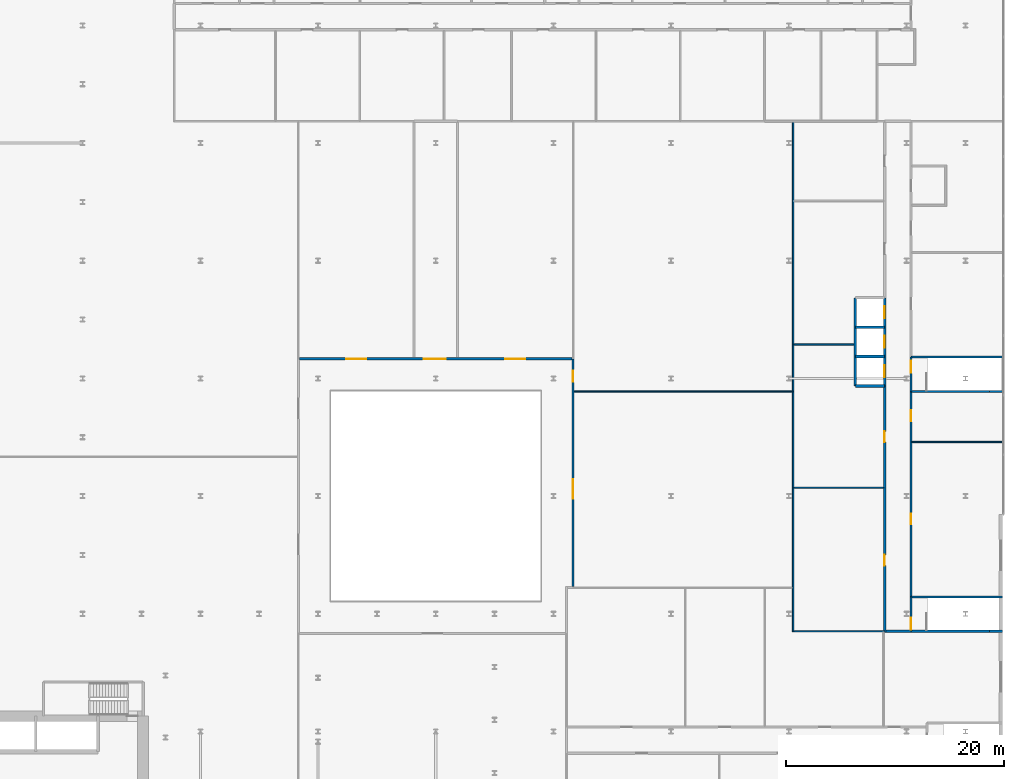
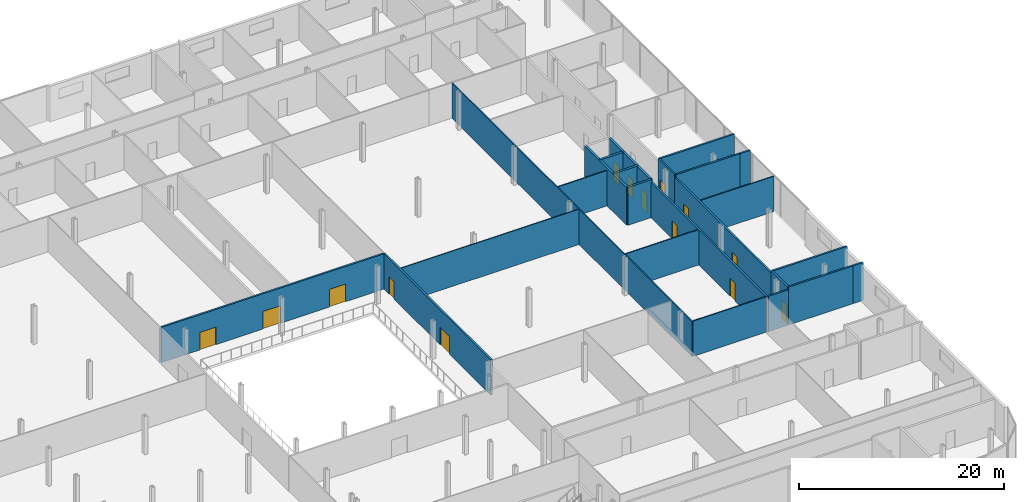
# One storey, part 33 of 43: 24 walls, 14 doors, 14 openings.
"""IFC4 building model written with IfcOpenShell, lengths in metres."""

import ifcopenshell
import ifcopenshell.guid

model = None  # the IFC model being written
_history = None  # IfcOwnerHistory: only IFC2X3 demands one
_inside = {}  # id of a spatial element -> (the spatial element, [elements in it])
_under = {}  # id of a project, library or spatial element -> (it, [spatial elements below it])
_declared = {}  # id of a project -> (the project, [libraries it declares])
_typed = {}  # id of a type object -> (the type object, [elements of that type])
_made_of = {}  # id of a material, layer set ... -> (it, [elements and type objects made of it])


def new_model(schema):
    """Start an empty IFC model of exactly this schema.

    Asked for "IFC4X3", IfcOpenShell would pick the latest addendum, in which some entities
    have other attributes; the version numbers below select the first issue.
    IFC2X3 requires an IfcOwnerHistory on every rooted entity: one is made here for all.
    """
    global model, _history
    if schema == "IFC4X3":
        model = ifcopenshell.file(schema_version=(4, 3, 0, 0))
    else:
        model = ifcopenshell.file(schema=schema)
    _inside.clear()
    _under.clear()
    _declared.clear()
    _typed.clear()
    _made_of.clear()
    _history = None
    if model.schema == "IFC2X3":
        org = make("IfcOrganization", Name="unknown")
        user = make(
            "IfcPersonAndOrganization",
            ThePerson=make("IfcPerson", FamilyName="unknown"),
            TheOrganization=org,
        )
        app = make(
            "IfcApplication",
            ApplicationDeveloper=org,
            Version="unknown",
            ApplicationFullName="unknown",
            ApplicationIdentifier="unknown",
        )
        _history = make(
            "IfcOwnerHistory",
            OwningUser=user,
            OwningApplication=app,
            ChangeAction="ADDED",
            CreationDate=0,
        )
    return model


def make(cls, **values):
    """One entity of the class cls with the attributes given. An attribute that is None is left unset."""
    return model.create_entity(
        cls, **{name: value for name, value in values.items() if value is not None}
    )


def rooted(cls, **values):
    """An entity with a GlobalId (a new one), such as an element, a storey or a relation."""
    return make(cls, GlobalId=ifcopenshell.guid.new(), OwnerHistory=_history, **values)


def si_unit(unit_type, name, prefix=None):
    """IfcSIUnit, for example si_unit("LENGTHUNIT", "METRE", prefix="MILLI")."""
    return make("IfcSIUnit", UnitType=unit_type, Prefix=prefix, Name=name)


def assignment(units):
    """IfcUnitAssignment: the units of a project."""
    return None if units is None else make("IfcUnitAssignment", Units=units)


def point(xyz):
    """IfcCartesianPoint."""
    return None if xyz is None else make("IfcCartesianPoint", Coordinates=xyz)


def direction(xyz):
    """IfcDirection."""
    return None if xyz is None else make("IfcDirection", DirectionRatios=xyz)


def frame(location, z_axis=None, x_axis=None):
    """IfcAxis2Placement3D, a coordinate frame: its origin and axes. An axis left out is left unset."""
    return make(
        "IfcAxis2Placement3D",
        Location=point(location),
        Axis=direction(z_axis),
        RefDirection=direction(x_axis),
    )


def frame_2d(location, x_axis=None):
    """IfcAxis2Placement2D, a coordinate frame in the plane: its origin and x axis."""
    return make(
        "IfcAxis2Placement2D", Location=point(location), RefDirection=direction(x_axis)
    )


def origin():
    """The frame at (0, 0, 0) with its axes left unset."""
    return frame((0.0, 0.0, 0.0))


def place(relative_to, where):
    """IfcLocalPlacement: puts the frame where relative to a parent placement (None: the world)."""
    return make(
        "IfcLocalPlacement", PlacementRelTo=relative_to, RelativePlacement=where
    )


def context(
    kind, dimensions, precision=None, world=None, true_north=None, identifier=None
):
    """IfcGeometricRepresentationContext, for example the 3D "Model" context."""
    return make(
        "IfcGeometricRepresentationContext",
        ContextIdentifier=identifier,
        ContextType=kind,
        CoordinateSpaceDimension=dimensions,
        Precision=precision,
        WorldCoordinateSystem=world,
        TrueNorth=true_north,
    )


def subcontext(parent, identifier, kind, view, scale=None):
    """IfcGeometricRepresentationSubContext, for example "Body" below "Model"."""
    return make(
        "IfcGeometricRepresentationSubContext",
        ContextIdentifier=identifier,
        ContextType=kind,
        ParentContext=parent,
        TargetScale=scale,
        TargetView=view,
    )


def project(units=None, contexts=None):
    """IfcProject with its units and contexts."""
    return rooted(
        "IfcProject",
        Name="project",
        RepresentationContexts=contexts,
        UnitsInContext=assignment(units),
    )


def spatial(cls, under=None, at=None, **own):
    """A site, building, storey or space (cls), placed at a placement, below another one or the project."""
    s = rooted(cls, ObjectPlacement=at, **own)
    if under is not None:
        _under.setdefault(under.id(), (under, []))[1].append(s)
    return s


def profile(cls, at=None, kind="AREA", **sizes):
    """A parametric profile (cls). Its sizes go by their IFC names, for example OverallWidth=200.0."""
    return make(cls, ProfileType=kind, Position=at, **sizes)


def rectangle(**sizes):
    """IfcRectangleProfileDef."""
    return profile("IfcRectangleProfileDef", **sizes)


def extrude(swept, where, along, depth):
    """IfcExtrudedAreaSolid: the profile swept, set in the frame where, extruded along a direction by depth."""
    return make(
        "IfcExtrudedAreaSolid",
        SweptArea=swept,
        Position=where,
        ExtrudedDirection=direction(along),
        Depth=depth,
    )


def shape(context_of_items, identifier, shape_type, items):
    """IfcShapeRepresentation: the items that make up one representation, for example the "Body"."""
    return make(
        "IfcShapeRepresentation",
        ContextOfItems=context_of_items,
        RepresentationIdentifier=identifier,
        RepresentationType=shape_type,
        Items=items,
    )


def source(mapping_origin, context_of_items, identifier, shape_type, items):
    """IfcRepresentationMap: a shape defined once, which mapped items show again and again."""
    return make(
        "IfcRepresentationMap",
        MappingOrigin=mapping_origin,
        MappedRepresentation=shape(context_of_items, identifier, shape_type, items),
    )


def transform(
    local_origin,
    x_axis=None,
    y_axis=None,
    z_axis=None,
    scale=None,
    scale2=None,
    scale3=None,
    uniform=True,
):
    """IfcCartesianTransformationOperator3D, or its non-uniform kind. x_axis, y_axis, z_axis: its Axis1, 2, 3."""
    if uniform:
        return make(
            "IfcCartesianTransformationOperator3D",
            Axis1=direction(x_axis),
            Axis2=direction(y_axis),
            LocalOrigin=point(local_origin),
            Scale=scale,
            Axis3=direction(z_axis),
        )
    return make(
        "IfcCartesianTransformationOperator3DnonUniform",
        Axis1=direction(x_axis),
        Axis2=direction(y_axis),
        LocalOrigin=point(local_origin),
        Scale=scale,
        Axis3=direction(z_axis),
        Scale2=scale2,
        Scale3=scale3,
    )


def mapped(mapping_source, mapping_target):
    """IfcMappedItem: shows the shape of a source again, moved by a transform."""
    return make(
        "IfcMappedItem", MappingSource=mapping_source, MappingTarget=mapping_target
    )


def material(Name=None, Category=None):
    """IfcMaterial."""
    return make("IfcMaterial", Name=Name, Category=Category)


def layer(
    of_material, thickness, ventilated=None, Name=None, Category=None, Priority=None
):
    """IfcMaterialLayer: one layer of a wall or slab, of a material (None: an air gap)."""
    return make(
        "IfcMaterialLayer",
        Material=of_material,
        LayerThickness=thickness,
        IsVentilated=ventilated,
        Name=Name,
        Category=Category,
        Priority=Priority,
    )


def layer_set(layers, Name=None):
    """IfcMaterialLayerSet."""
    return make("IfcMaterialLayerSet", MaterialLayers=layers, LayerSetName=Name)


def made_of(thing, what):
    """Note that an element or type object is made of a material, layer set ...; save() writes the relation."""
    if what is not None:
        _made_of.setdefault(what.id(), (what, []))[1].append(thing)
    return thing


def type_object(cls, material=None, **own):
    """A type object (cls), such as IfcWallType, which elements share."""
    return made_of(rooted(cls, **own), material)


def element(
    cls,
    number,
    at=None,
    inside=None,
    cuts=None,
    type_object=None,
    material=None,
    context=None,
    identifier="Body",
    shape_type=None,
    held_by="IfcProductDefinitionShape",
    body=None,
    shapes=None,
    **own,
):
    """One element of the class cls, such as IfcWall. Its Tag is "e" and its number.

    at: its placement. inside: the storey or other place that contains it. cuts: it is an
    opening in that element (IfcRelVoidsElement). A single representation is given by context,
    identifier, shape_type and body (its items); several are given by shapes. held_by: the class
    of the entity that holds the representations. save() writes the other relations.
    """
    e = rooted(cls, Tag="e%d" % number, ObjectPlacement=at, **own)
    if body is not None:
        shapes = [shape(context, identifier, shape_type, body)]
    if shapes is not None:
        e.Representation = make(held_by, Representations=shapes)
    if inside is not None:
        _inside.setdefault(inside.id(), (inside, []))[1].append(e)
    if cuts is not None:
        rooted(
            "IfcRelVoidsElement", RelatingBuildingElement=cuts, RelatedOpeningElement=e
        )
    if type_object is not None:
        _typed.setdefault(type_object.id(), (type_object, []))[1].append(e)
    return made_of(e, material)


def fill(opening, filler):
    """IfcRelFillsElement: the door or window that sits in an opening."""
    return rooted(
        "IfcRelFillsElement",
        RelatingOpeningElement=opening,
        RelatedBuildingElement=filler,
    )


def aggregate(whole, parts):
    """IfcRelAggregates: a whole, such as a stair, and the parts it consists of."""
    return rooted("IfcRelAggregates", RelatingObject=whole, RelatedObjects=parts)


def save(model, path):
    """Write the relations noted so far, then the file.

    IfcRelAggregates (storeys below a building ...), IfcRelContainedInSpatialStructure (elements
    in a storey), IfcRelDefinesByType, IfcRelAssociatesMaterial and IfcRelDeclares: one each for
    every whole, place, type object, material and project.
    """
    for whole, parts in _under.values():
        aggregate(whole, parts)
    for where, things in _inside.values():
        rooted(
            "IfcRelContainedInSpatialStructure",
            RelatedElements=things,
            RelatingStructure=where,
        )
    for kind, things in _typed.values():
        rooted("IfcRelDefinesByType", RelatedObjects=things, RelatingType=kind)
    for what, things in _made_of.values():
        rooted("IfcRelAssociatesMaterial", RelatedObjects=things, RelatingMaterial=what)
    for by, libraries in _declared.values():
        rooted("IfcRelDeclares", RelatingContext=by, RelatedDefinitions=libraries)
    model.write(path)


model = new_model("IFC4")

# Units and contexts
model_context = context("Model", 3, precision=1e-05, world=origin(), true_north=direction((0.0, 1.0)))
body_context = subcontext(model_context, "Body", "Model", "MODEL_VIEW")
ifc_project = project(units=[si_unit("LENGTHUNIT", "METRE"), si_unit("AREAUNIT", "SQUARE_METRE"), si_unit("VOLUMEUNIT", "CUBIC_METRE"), si_unit("PLANEANGLEUNIT", "RADIAN"), si_unit("MASSUNIT", "GRAM", prefix="KILO")], contexts=[model_context])

# Site, building, storey
site_placement = place(None, origin())
site = spatial("IfcSite", under=ifc_project, at=site_placement, CompositionType="ELEMENT")
building_placement = place(site_placement, origin())
building = spatial("IfcBuilding", under=site, at=building_placement, Name="Kheshtan School and Residences Tower", CompositionType="ELEMENT")
storey_placement = place(building_placement, frame((0.0, 0.0, 26.0)))
storey = spatial("IfcBuildingStorey", under=building, at=storey_placement, Name="L05", CompositionType="ELEMENT", Elevation=26.0)

# Walls
ifc_material_1 = material(Name="Gypsum board on steel studs with mineral wool", Category="steel")
ifc_layer_1 = layer(ifc_material_1, 0.125)
ifc_layer_set_1 = layer_set([ifc_layer_1], Name="Acoustic partition 125")
wall_type_1 = type_object("IfcWallType", Name="Acoustic partition 125", PredefinedType="PARTITIONING", material=ifc_layer_set_1)
wall_1_placement = place(storey_placement, frame((112.800048828125, 43.93798828125, 0.0), z_axis=(0.0, 0.0, 1.0), x_axis=(0.0, 1.0, 0.0)))
element("IfcWall", 1, at=wall_1_placement, inside=storey, type_object=wall_type_1, Name="Partition L05-068", PredefinedType="PARTITIONING", context=body_context, shape_type="SweptSolid", body=[
    extrude(rectangle(XDim=46.787109375, YDim=0.125, at=frame_2d((23.3935546875, 0.0))), origin(), (0.0, 0.0, 1.0), 4.199951171875),
])
wall_2_placement = place(storey_placement, frame((112.862060546875, 44.0, 0.0), z_axis=(0.0, 0.0, 1.0), x_axis=(1.0, 0.0, 0.0)))
element("IfcWall", 2, at=wall_2_placement, inside=storey, type_object=wall_type_1, Name="Partition L05-069", PredefinedType="PARTITIONING", context=body_context, shape_type="SweptSolid", body=[
    extrude(rectangle(XDim=8.279052734375, YDim=0.125, at=frame_2d((4.1396484375, 0.0))), origin(), (0.0, 0.0, 1.0), 4.199951171875),
])
wall_3_placement = place(storey_placement, frame((112.862060546875, 57.162109375, 0.0), z_axis=(0.0, 0.0, 1.0), x_axis=(1.0, 0.0, 0.0)))
element("IfcWall", 3, at=wall_3_placement, inside=storey, type_object=wall_type_1, Name="Partition L05-070", PredefinedType="PARTITIONING", context=body_context, shape_type="SweptSolid", body=[
    extrude(rectangle(XDim=8.238037109375, YDim=0.125, at=frame_2d((4.119140625, 0.0))), origin(), (0.0, 0.0, 1.0), 4.199951171875),
])
wall_4_placement = place(storey_placement, frame((112.862060546875, 70.324951171875, 0.0), z_axis=(0.0, 0.0, 1.0), x_axis=(1.0, 0.0, 0.0)))
element("IfcWall", 4, at=wall_4_placement, inside=storey, type_object=wall_type_1, Name="Partition L05-071", PredefinedType="PARTITIONING", context=body_context, shape_type="SweptSolid", body=[
    extrude(rectangle(XDim=5.513916015625, YDim=0.125, at=frame_2d((2.7568359375, 0.0))), origin(), (0.0, 0.0, 1.0), 4.199951171875),
])
wall_5_placement = place(storey_placement, frame((123.699951171875, 61.368896484375, 0.0), z_axis=(0.0, 0.0, 1.0), x_axis=(1.0, 0.0, 0.0)))
element("IfcWall", 5, at=wall_5_placement, inside=storey, type_object=wall_type_1, Name="Partition L05-091", PredefinedType="PARTITIONING", context=body_context, shape_type="SweptSolid", body=[
    extrude(rectangle(XDim=8.300048828125, YDim=0.125, at=frame_2d((4.14990234375, 0.0))), origin(), (0.0, 0.0, 1.0), 4.199951171875),
])

# Wall, openings, doors
ifc_material_2 = material(Name="Gypsum board on steel studs with fire boards", Category="steel")
ifc_layer_2 = layer(ifc_material_2, 0.199951171875)
ifc_layer_set_2 = layer_set([ifc_layer_2], Name="Corridor wall 200")
wall_type_2 = type_object("IfcWallType", Name="Corridor wall 200", PredefinedType="PARTITIONING", material=ifc_layer_set_2)
wall_6_placement = place(storey_placement, frame((67.5, 69.0, 0.0), z_axis=(0.0, 0.0, 1.0), x_axis=(1.0, 0.0, 0.0)))
wall_6 = element("IfcWall", 6, at=wall_6_placement, inside=storey, type_object=wall_type_2, Name="Partition L05-033", PredefinedType="PARTITIONING", context=body_context, shape_type="SweptSolid", body=[
    extrude(rectangle(XDim=25.0, YDim=0.199951171875, at=frame_2d((12.5, 0.0))), origin(), (0.0, 0.0, 1.0), 4.199951171875),
])
opening_1_placement = place(wall_6_placement, frame((11.39990234375, 0.0, 0.0)))
opening_1 = element("IfcOpeningElement", 7, at=opening_1_placement, cuts=wall_6, Name="Opening D05-012", PredefinedType="OPENING", context=body_context, shape_type="SweptSolid", body=[
    extrude(rectangle(XDim=2.0, YDim=2.10009765625, at=frame_2d((1.0, 1.050048828125))), frame((0.0, 0.10986328125, 0.0), z_axis=(0.0, -1.0, 0.0), x_axis=(1.0, 0.0, 0.0)), (0.0, 0.0, 1.0), 0.219970703125),
])
opening_2_placement = place(wall_6_placement, frame((4.300048828125, 0.0, 0.0)))
opening_2 = element("IfcOpeningElement", 8, at=opening_2_placement, cuts=wall_6, Name="Opening D05-032", PredefinedType="OPENING", context=body_context, shape_type="SweptSolid", body=[
    extrude(rectangle(XDim=1.800048828125, YDim=2.10009765625, at=frame_2d((0.89990234375, 1.050048828125))), frame((0.0, 0.10986328125, 0.0), z_axis=(0.0, -1.0, 0.0), x_axis=(1.0, 0.0, 0.0)), (0.0, 0.0, 1.0), 0.219970703125),
])
opening_3_placement = place(wall_6_placement, frame((18.89990234375, 0.0, 0.0)))
opening_3 = element("IfcOpeningElement", 9, at=opening_3_placement, cuts=wall_6, Name="Opening D05-033", PredefinedType="OPENING", context=body_context, shape_type="SweptSolid", body=[
    extrude(rectangle(XDim=1.800048828125, YDim=2.10009765625, at=frame_2d((0.89990234375, 1.050048828125))), frame((0.0, 0.10986328125, 0.0), z_axis=(0.0, -1.0, 0.0), x_axis=(1.0, 0.0, 0.0)), (0.0, 0.0, 1.0), 0.219970703125),
])
ifc_material_3 = material(Name="Steel-framed fire-resisting door leaf", Category="steel")
door_type_1 = type_object("IfcDoorType", Name="Fire double door FD60 1800 x 2100", OperationType="DOUBLE_DOOR_SINGLE_SWING", PredefinedType="DOOR", material=ifc_material_3)
shared_shape_1 = source(origin(), body_context, "Body", "SweptSolid", [
    extrude(rectangle(XDim=1.800048828125, YDim=2.10009765625, at=frame_2d((0.89990234375, 1.050048828125))), frame((0.0, 0.02490234375, 0.0), z_axis=(0.0, -1.0, 0.0), x_axis=(1.0, 0.0, 0.0)), (0.0, 0.0, 1.0), 0.050048828125),
])
door_1_placement = place(opening_2_placement, origin())
door_1 = element("IfcDoor", 10, at=door_1_placement, inside=storey, type_object=door_type_1, Name="Door D05-032", OperationType="DOUBLE_DOOR_SINGLE_SWING", OverallHeight=2.10009765625, OverallWidth=1.800048828125, PredefinedType="DOOR", context=body_context, shape_type="MappedRepresentation", body=[
    mapped(shared_shape_1, transform((0.0, 0.0, 0.0), x_axis=(1.0, 0.0, 0.0), y_axis=(0.0, 1.0, 0.0), z_axis=(0.0, 0.0, 1.0), scale=1.0)),
])
fill(opening_2, door_1)
door_2_placement = place(opening_3_placement, origin())
door_2 = element("IfcDoor", 11, at=door_2_placement, inside=storey, type_object=door_type_1, Name="Door D05-033", OperationType="DOUBLE_DOOR_SINGLE_SWING", OverallHeight=2.10009765625, OverallWidth=1.800048828125, PredefinedType="DOOR", context=body_context, shape_type="MappedRepresentation", body=[
    mapped(shared_shape_1, transform((0.0, 0.0, 0.0), x_axis=(1.0, 0.0, 0.0), y_axis=(0.0, 1.0, 0.0), z_axis=(0.0, 0.0, 1.0), scale=1.0)),
])
fill(opening_3, door_2)
door_type_2 = type_object("IfcDoorType", Name="Fire double door FD60 2000 x 2100", OperationType="DOUBLE_DOOR_SINGLE_SWING", PredefinedType="DOOR", material=ifc_material_3)
shared_shape_2 = source(origin(), body_context, "Body", "SweptSolid", [
    extrude(rectangle(XDim=2.0, YDim=2.10009765625, at=frame_2d((1.0, 1.050048828125))), frame((0.0, 0.02490234375, 0.0), z_axis=(0.0, -1.0, 0.0), x_axis=(1.0, 0.0, 0.0)), (0.0, 0.0, 1.0), 0.050048828125),
])
door_3_placement = place(opening_1_placement, origin())
door_3 = element("IfcDoor", 12, at=door_3_placement, inside=storey, type_object=door_type_2, Name="Door D05-012", OperationType="DOUBLE_DOOR_SINGLE_SWING", OverallHeight=2.10009765625, OverallWidth=2.0, PredefinedType="DOOR", context=body_context, shape_type="MappedRepresentation", body=[
    mapped(shared_shape_2, transform((0.0, 0.0, 0.0), x_axis=(1.0, 0.0, 0.0), y_axis=(0.0, 1.0, 0.0), z_axis=(0.0, 0.0, 1.0), scale=1.0)),
])
fill(opening_1, door_3)

wall_7_placement = place(storey_placement, frame((92.60009765625, 48.10009765625, 0.0), z_axis=(0.0, 0.0, 1.0), x_axis=(0.0, 1.0, 0.0)))
wall_7 = element("IfcWall", 13, at=wall_7_placement, inside=storey, type_object=wall_type_2, Name="Partition L05-054", PredefinedType="PARTITIONING", context=body_context, shape_type="SweptSolid", body=[
    extrude(rectangle(XDim=20.89990234375, YDim=0.199951171875, at=frame_2d((10.449951171875, 0.0))), origin(), (0.0, 0.0, 1.0), 4.199951171875),
])
opening_4_placement = place(wall_7_placement, frame((8.050048828125, 0.0, 0.0)))
opening_4 = element("IfcOpeningElement", 14, at=opening_4_placement, cuts=wall_7, Name="Opening D05-010", PredefinedType="OPENING", context=body_context, shape_type="SweptSolid", body=[
    extrude(rectangle(XDim=1.800048828125, YDim=2.10009765625, at=frame_2d((0.89990234375, 1.050048828125))), frame((0.0, 0.10986328125, 0.0), z_axis=(0.0, -1.0, 0.0), x_axis=(1.0, 0.0, 0.0)), (0.0, 0.0, 1.0), 0.219970703125),
])
opening_5_placement = place(wall_7_placement, frame((18.800048828125, 0.0, 0.0)))
opening_5 = element("IfcOpeningElement", 15, at=opening_5_placement, cuts=wall_7, Name="Opening D05-011", PredefinedType="OPENING", context=body_context, shape_type="SweptSolid", body=[
    extrude(rectangle(XDim=1.0, YDim=2.10009765625, at=frame_2d((0.5, 1.050048828125))), frame((0.0, 0.10986328125, 0.0), z_axis=(0.0, -1.0, 0.0), x_axis=(1.0, 0.0, 0.0)), (0.0, 0.0, 1.0), 0.219970703125),
])
door_4_placement = place(opening_4_placement, origin())
door_4 = element("IfcDoor", 16, at=door_4_placement, inside=storey, type_object=door_type_1, Name="Door D05-010", OperationType="DOUBLE_DOOR_SINGLE_SWING", OverallHeight=2.10009765625, OverallWidth=1.800048828125, PredefinedType="DOOR", context=body_context, shape_type="MappedRepresentation", body=[
    mapped(shared_shape_1, transform((0.0, 0.0, 0.0), x_axis=(1.0, 0.0, 0.0), y_axis=(0.0, 1.0, 0.0), z_axis=(0.0, 0.0, 1.0), scale=1.0)),
])
fill(opening_4, door_4)
door_type_3 = type_object("IfcDoorType", Name="Fire door FD60 1000 x 2100", OperationType="SINGLE_SWING_LEFT", PredefinedType="DOOR", material=ifc_material_3)
shared_shape_3 = source(origin(), body_context, "Body", "SweptSolid", [
    extrude(rectangle(XDim=1.0, YDim=2.10009765625, at=frame_2d((0.5, 1.050048828125))), frame((0.0, 0.02490234375, 0.0), z_axis=(0.0, -1.0, 0.0), x_axis=(1.0, 0.0, 0.0)), (0.0, 0.0, 1.0), 0.050048828125),
])
door_5_placement = place(opening_5_placement, origin())
door_5 = element("IfcDoor", 17, at=door_5_placement, inside=storey, type_object=door_type_3, Name="Door D05-011", OperationType="SINGLE_SWING_RIGHT", OverallHeight=2.10009765625, OverallWidth=1.0, PredefinedType="DOOR", context=body_context, shape_type="MappedRepresentation", body=[
    mapped(shared_shape_3, transform((0.0, 0.0, 0.0), x_axis=(1.0, 0.0, 0.0), y_axis=(0.0, 1.0, 0.0), z_axis=(0.0, 0.0, 1.0), scale=1.0)),
])
fill(opening_5, door_5)

wall_8_placement = place(storey_placement, frame((121.199951171875, 43.89990234375, 0.0), z_axis=(0.0, 0.0, 1.0), x_axis=(0.0, 1.0, 0.0)))
wall_8 = element("IfcWall", 18, at=wall_8_placement, inside=storey, type_object=wall_type_2, Name="Partition L05-081", PredefinedType="PARTITIONING", context=body_context, shape_type="SweptSolid", body=[
    extrude(rectangle(XDim=22.60009765625, YDim=0.199951171875, at=frame_2d((11.300048828125, 0.0))), origin(), (0.0, 0.0, 1.0), 4.199951171875),
])
opening_6_placement = place(wall_8_placement, frame((6.112060546875, 0.0, 0.0)))
opening_6 = element("IfcOpeningElement", 19, at=opening_6_placement, cuts=wall_8, Name="Opening D05-001", PredefinedType="OPENING", context=body_context, shape_type="SweptSolid", body=[
    extrude(rectangle(XDim=1.0, YDim=2.10009765625, at=frame_2d((0.5, 1.050048828125))), frame((0.0, 0.10986328125, 0.0), z_axis=(0.0, -1.0, 0.0), x_axis=(1.0, 0.0, 0.0)), (0.0, 0.0, 1.0), 0.219970703125),
])
opening_7_placement = place(wall_8_placement, frame((17.449951171875, 0.0, 0.0)))
opening_7 = element("IfcOpeningElement", 20, at=opening_7_placement, cuts=wall_8, Name="Opening D05-002", PredefinedType="OPENING", context=body_context, shape_type="SweptSolid", body=[
    extrude(rectangle(XDim=1.0, YDim=2.10009765625, at=frame_2d((0.5, 1.050048828125))), frame((0.0, 0.10986328125, 0.0), z_axis=(0.0, -1.0, 0.0), x_axis=(1.0, 0.0, 0.0)), (0.0, 0.0, 1.0), 0.219970703125),
])
door_6_placement = place(opening_6_placement, origin())
door_6 = element("IfcDoor", 21, at=door_6_placement, inside=storey, type_object=door_type_3, Name="Door D05-001", OperationType="SINGLE_SWING_RIGHT", OverallHeight=2.10009765625, OverallWidth=1.0, PredefinedType="DOOR", context=body_context, shape_type="MappedRepresentation", body=[
    mapped(shared_shape_3, transform((0.0, 0.0, 0.0), x_axis=(1.0, 0.0, 0.0), y_axis=(0.0, 1.0, 0.0), z_axis=(0.0, 0.0, 1.0), scale=1.0)),
])
fill(opening_6, door_6)
door_7_placement = place(opening_7_placement, origin())
door_7 = element("IfcDoor", 22, at=door_7_placement, inside=storey, type_object=door_type_3, Name="Door D05-002", OperationType="SINGLE_SWING_LEFT", OverallHeight=2.10009765625, OverallWidth=1.0, PredefinedType="DOOR", context=body_context, shape_type="MappedRepresentation", body=[
    mapped(shared_shape_3, transform((0.0, 0.0, 0.0), x_axis=(1.0, 0.0, 0.0), y_axis=(0.0, 1.0, 0.0), z_axis=(0.0, 0.0, 1.0), scale=1.0)),
])
fill(opening_7, door_7)

# Wall
wall_9_placement = place(storey_placement, frame((121.300048828125, 44.0, 0.0), z_axis=(0.0, 0.0, 1.0), x_axis=(1.0, 0.0, 0.0)))
element("IfcWall", 23, at=wall_9_placement, inside=storey, type_object=wall_type_2, Name="Partition L05-084", PredefinedType="PARTITIONING", context=body_context, shape_type="SweptSolid", body=[
    extrude(rectangle(XDim=2.300048828125, YDim=0.199951171875, at=frame_2d((1.14990234375, 0.0))), origin(), (0.0, 0.0, 1.0), 4.199951171875),
])

# Wall, openings, doors
wall_10_placement = place(storey_placement, frame((123.60009765625, 47.14990234375, 0.0), z_axis=(0.0, 0.0, 1.0), x_axis=(0.0, 1.0, 0.0)))
wall_10 = element("IfcWall", 24, at=wall_10_placement, inside=storey, type_object=wall_type_2, Name="Partition L05-085", PredefinedType="PARTITIONING", context=body_context, shape_type="SweptSolid", body=[
    extrude(rectangle(XDim=18.85009765625, YDim=0.199951171875, at=frame_2d((9.425048828125, 0.0))), origin(), (0.0, 0.0, 1.0), 4.199951171875),
])
opening_8_placement = place(wall_10_placement, frame((6.64990234375, 0.0, 0.0)))
opening_8 = element("IfcOpeningElement", 25, at=opening_8_placement, cuts=wall_10, Name="Opening D05-005", PredefinedType="OPENING", context=body_context, shape_type="SweptSolid", body=[
    extrude(rectangle(XDim=1.0, YDim=2.10009765625, at=frame_2d((0.5, 1.050048828125))), frame((0.0, 0.10986328125, 0.0), z_axis=(0.0, -1.0, 0.0), x_axis=(1.0, 0.0, 0.0)), (0.0, 0.0, 1.0), 0.219970703125),
])
opening_9_placement = place(wall_10_placement, frame((16.118896484375, 0.0, 0.0)))
opening_9 = element("IfcOpeningElement", 26, at=opening_9_placement, cuts=wall_10, Name="Opening D05-006", PredefinedType="OPENING", context=body_context, shape_type="SweptSolid", body=[
    extrude(rectangle(XDim=1.0, YDim=2.10009765625, at=frame_2d((0.5, 1.050048828125))), frame((0.0, 0.10986328125, 0.0), z_axis=(0.0, -1.0, 0.0), x_axis=(1.0, 0.0, 0.0)), (0.0, 0.0, 1.0), 0.219970703125),
])
door_8_placement = place(opening_8_placement, origin())
door_8 = element("IfcDoor", 27, at=door_8_placement, inside=storey, type_object=door_type_3, Name="Door D05-005", OperationType="SINGLE_SWING_RIGHT", OverallHeight=2.10009765625, OverallWidth=1.0, PredefinedType="DOOR", context=body_context, shape_type="MappedRepresentation", body=[
    mapped(shared_shape_3, transform((0.0, 0.0, 0.0), x_axis=(1.0, 0.0, 0.0), y_axis=(0.0, 1.0, 0.0), z_axis=(0.0, 0.0, 1.0), scale=1.0)),
])
fill(opening_8, door_8)
door_9_placement = place(opening_9_placement, origin())
door_9 = element("IfcDoor", 28, at=door_9_placement, inside=storey, type_object=door_type_3, Name="Door D05-006", OperationType="SINGLE_SWING_RIGHT", OverallHeight=2.10009765625, OverallWidth=1.0, PredefinedType="DOOR", context=body_context, shape_type="MappedRepresentation", body=[
    mapped(shared_shape_3, transform((0.0, 0.0, 0.0), x_axis=(1.0, 0.0, 0.0), y_axis=(0.0, 1.0, 0.0), z_axis=(0.0, 0.0, 1.0), scale=1.0)),
])
fill(opening_9, door_9)

# Walls
ifc_material_4 = material(Name="Gypsum board on steel studs", Category="steel")
ifc_layer_3 = layer(ifc_material_4, 0.10009765625)
ifc_layer_set_3 = layer_set([ifc_layer_3], Name="Gypsum partition 100")
wall_type_3 = type_object("IfcWallType", Name="Gypsum partition 100", PredefinedType="PARTITIONING", material=ifc_layer_set_3)
wall_11_placement = place(storey_placement, frame((92.699951171875, 66.0, 0.0), z_axis=(0.0, 0.0, 1.0), x_axis=(1.0, 0.0, 0.0)))
element("IfcWall", 29, at=wall_11_placement, inside=storey, type_object=wall_type_3, Name="Partition L05-056", PredefinedType="PARTITIONING", context=body_context, shape_type="SweptSolid", body=[
    extrude(rectangle(XDim=20.0380859375, YDim=0.10009765625, at=frame_2d((10.01904296875, 0.0))), origin(), (0.0, 0.0, 1.0), 4.199951171875),
])
ifc_material_5 = material(Name="Fire-board shaft wall system")
ifc_layer_4 = layer(ifc_material_5, 0.25)
ifc_layer_set_4 = layer_set([ifc_layer_4], Name="Shaft lining wall 250")
wall_type_4 = type_object("IfcWallType", Name="Shaft lining wall 250", PredefinedType="PARTITIONING", material=ifc_layer_set_4)
wall_12_placement = place(storey_placement, frame((118.5, 66.5, 0.0), z_axis=(0.0, 0.0, 1.0), x_axis=(0.0, 1.0, 0.0)))
element("IfcWall", 30, at=wall_12_placement, inside=storey, type_object=wall_type_4, Name="Shaft lining wall", PredefinedType="PARTITIONING", context=body_context, shape_type="SweptSolid", body=[
    extrude(rectangle(XDim=8.10009765625, YDim=0.25, at=frame_2d((4.050048828125, 0.0))), origin(), (0.0, 0.0, 1.0), 4.5),
])

# Wall, openings, doors
wall_13_placement = place(storey_placement, frame((121.199951171875, 66.5, 0.0), z_axis=(0.0, 0.0, 1.0), x_axis=(0.0, 1.0, 0.0)))
wall_13 = element("IfcWall", 31, at=wall_13_placement, inside=storey, type_object=wall_type_4, Name="Shaft lining wall", PredefinedType="PARTITIONING", context=body_context, shape_type="SweptSolid", body=[
    extrude(rectangle(XDim=8.10009765625, YDim=0.25, at=frame_2d((4.050048828125, 0.0))), origin(), (0.0, 0.0, 1.0), 4.5),
])
opening_10_placement = place(wall_13_placement, frame((0.800048828125, 0.0, 0.0)))
opening_10 = element("IfcOpeningElement", 32, at=opening_10_placement, cuts=wall_13, Name="Opening LD", PredefinedType="OPENING", context=body_context, shape_type="SweptSolid", body=[
    extrude(rectangle(XDim=1.10009765625, YDim=2.199951171875, at=frame_2d((0.550048828125, 1.10009765625))), frame((0.0, 0.135009765625, 0.0), z_axis=(0.0, -1.0, 0.0), x_axis=(1.0, 0.0, 0.0)), (0.0, 0.0, 1.0), 0.27001953125),
])
opening_11_placement = place(wall_13_placement, frame((3.5, 0.0, 0.0)))
opening_11 = element("IfcOpeningElement", 33, at=opening_11_placement, cuts=wall_13, Name="Opening LD", PredefinedType="OPENING", context=body_context, shape_type="SweptSolid", body=[
    extrude(rectangle(XDim=1.10009765625, YDim=2.199951171875, at=frame_2d((0.550048828125, 1.10009765625))), frame((0.0, 0.135009765625, 0.0), z_axis=(0.0, -1.0, 0.0), x_axis=(1.0, 0.0, 0.0)), (0.0, 0.0, 1.0), 0.27001953125),
])
opening_12_placement = place(wall_13_placement, frame((6.199951171875, 0.0, 0.0)))
opening_12 = element("IfcOpeningElement", 34, at=opening_12_placement, cuts=wall_13, Name="Opening LD", PredefinedType="OPENING", context=body_context, shape_type="SweptSolid", body=[
    extrude(rectangle(XDim=1.10009765625, YDim=2.199951171875, at=frame_2d((0.550048828125, 1.10009765625))), frame((0.0, 0.135009765625, 0.0), z_axis=(0.0, -1.0, 0.0), x_axis=(1.0, 0.0, 0.0)), (0.0, 0.0, 1.0), 0.27001953125),
])
ifc_material_6 = material(Name="Stainless steel door leaves", Category="steel")
door_type_4 = type_object("IfcDoorType", Name="Lift landing door 1100", OperationType="SLIDING_TO_LEFT", PredefinedType="DOOR", material=ifc_material_6)
shared_shape_4 = source(origin(), body_context, "Body", "SweptSolid", [
    extrude(rectangle(XDim=1.10009765625, YDim=2.199951171875, at=frame_2d((0.550048828125, 1.10009765625))), frame((0.0, 0.02490234375, 0.0), z_axis=(0.0, -1.0, 0.0), x_axis=(1.0, 0.0, 0.0)), (0.0, 0.0, 1.0), 0.050048828125),
])
door_10_placement = place(opening_10_placement, origin())
door_10 = element("IfcDoor", 35, at=door_10_placement, inside=storey, type_object=door_type_4, Name="Lift SCL1 landing door", OperationType="SLIDING_TO_LEFT", OverallHeight=2.199951171875, OverallWidth=1.10009765625, PredefinedType="DOOR", context=body_context, shape_type="MappedRepresentation", body=[
    mapped(shared_shape_4, transform((0.0, 0.0, 0.0), x_axis=(1.0, 0.0, 0.0), y_axis=(0.0, 1.0, 0.0), z_axis=(0.0, 0.0, 1.0), scale=1.0)),
])
fill(opening_10, door_10)
door_11_placement = place(opening_11_placement, origin())
door_11 = element("IfcDoor", 36, at=door_11_placement, inside=storey, type_object=door_type_4, Name="Lift SCL2 landing door", OperationType="SLIDING_TO_LEFT", OverallHeight=2.199951171875, OverallWidth=1.10009765625, PredefinedType="DOOR", context=body_context, shape_type="MappedRepresentation", body=[
    mapped(shared_shape_4, transform((0.0, 0.0, 0.0), x_axis=(1.0, 0.0, 0.0), y_axis=(0.0, 1.0, 0.0), z_axis=(0.0, 0.0, 1.0), scale=1.0)),
])
fill(opening_11, door_11)
door_12_placement = place(opening_12_placement, origin())
door_12 = element("IfcDoor", 37, at=door_12_placement, inside=storey, type_object=door_type_4, Name="Lift SCL3 landing door", OperationType="SLIDING_TO_LEFT", OverallHeight=2.199951171875, OverallWidth=1.10009765625, PredefinedType="DOOR", context=body_context, shape_type="MappedRepresentation", body=[
    mapped(shared_shape_4, transform((0.0, 0.0, 0.0), x_axis=(1.0, 0.0, 0.0), y_axis=(0.0, 1.0, 0.0), z_axis=(0.0, 0.0, 1.0), scale=1.0)),
])
fill(opening_12, door_12)

# Walls
for number, where, z_axis, x_axis, name in (
    (38, (118.5, 66.5, 0.0), (0.0, 0.0, 1.0), (1.0, 0.0, 0.0), "Shaft lining wall"),
    (39, (118.5, 69.199951171875, 0.0), (0.0, 0.0, 1.0), (1.0, 0.0, 0.0), "Shaft lining wall"),
    (40, (118.5, 71.89990234375, 0.0), (0.0, 0.0, 1.0), (1.0, 0.0, 0.0), "Shaft lining wall"),
):
    element("IfcWall", number, at=place(storey_placement, frame(where, z_axis=z_axis, x_axis=x_axis)), inside=storey, type_object=wall_type_4, Name=name, PredefinedType="PARTITIONING", context=body_context, shape_type="SweptSolid", body=[
        extrude(rectangle(XDim=2.699951171875, YDim=0.25, at=frame_2d((1.35009765625, 0.0))), origin(), (0.0, 0.0, 1.0), 4.5),
    ])
ifc_material_7 = material(Name="Concrete C40/50", Category="concrete")
ifc_layer_5 = layer(ifc_material_7, 0.199951171875)
ifc_layer_set_5 = layer_set([ifc_layer_5], Name="Stair enclosure wall 200 Concrete C40/50")
wall_type_5 = type_object("IfcWallType", Name="Stair enclosure wall 200 Concrete C40/50", PredefinedType="SHEAR", material=ifc_layer_set_5)
wall_14_placement = place(storey_placement, frame((123.60009765625, 44.0, 0.0), z_axis=(0.0, 0.0, 1.0), x_axis=(1.0, 0.0, 0.0)))
element("IfcWall", 41, at=wall_14_placement, inside=storey, type_object=wall_type_5, Name="Stair enclosure wall", PredefinedType="SHEAR", context=body_context, shape_type="SweptSolid", body=[
    extrude(rectangle(XDim=7.199951171875, YDim=0.199951171875, at=frame_2d((3.60009765625, 0.0))), origin(), (0.0, 0.0, 1.0), 4.5),
])
wall_15_placement = place(storey_placement, frame((130.800048828125, 44.0, 0.0), z_axis=(0.0, 0.0, 1.0), x_axis=(1.0, 0.0, 0.0)))
element("IfcWall", 42, at=wall_15_placement, inside=storey, type_object=wall_type_5, Name="Stair enclosure wall", PredefinedType="SHEAR", context=body_context, shape_type="SweptSolid", body=[
    extrude(rectangle(XDim=1.199951171875, YDim=0.199951171875, at=frame_2d((0.60009765625, 0.0))), origin(), (0.0, 0.0, 1.0), 4.5),
])
wall_16_placement = place(storey_placement, frame((123.60009765625, 47.14990234375, 0.0), z_axis=(0.0, 0.0, 1.0), x_axis=(1.0, 0.0, 0.0)))
element("IfcWall", 43, at=wall_16_placement, inside=storey, type_object=wall_type_5, Name="Stair enclosure wall", PredefinedType="SHEAR", context=body_context, shape_type="SweptSolid", body=[
    extrude(rectangle(XDim=8.39990234375, YDim=0.199951171875, at=frame_2d((4.199951171875, 0.0))), origin(), (0.0, 0.0, 1.0), 4.5),
])

# Wall, opening, door
wall_17_placement = place(storey_placement, frame((123.60009765625, 44.0, 0.0), z_axis=(0.0, 0.0, 1.0), x_axis=(0.0, 1.0, 0.0)))
wall_17 = element("IfcWall", 44, at=wall_17_placement, inside=storey, type_object=wall_type_5, Name="Stair enclosure wall", PredefinedType="SHEAR", context=body_context, shape_type="SweptSolid", body=[
    extrude(rectangle(XDim=3.14990234375, YDim=0.199951171875, at=frame_2d((1.574951171875, 0.0))), origin(), (0.0, 0.0, 1.0), 4.5),
])
opening_13_placement = place(wall_17_placement, frame((0.14990234375, 0.0, 0.0)))
opening_13 = element("IfcOpeningElement", 45, at=opening_13_placement, cuts=wall_17, Name="Opening SD90", PredefinedType="OPENING", context=body_context, shape_type="SweptSolid", body=[
    extrude(rectangle(XDim=1.10009765625, YDim=2.199951171875, at=frame_2d((0.550048828125, 1.10009765625))), frame((0.0, 0.10986328125, 0.0), z_axis=(0.0, -1.0, 0.0), x_axis=(1.0, 0.0, 0.0)), (0.0, 0.0, 1.0), 0.219970703125),
])
ifc_material_8 = material(Name="Steel door leaf, galvanised", Category="steel")
door_type_5 = type_object("IfcDoorType", Name="Stair door 1100 steel 90 min", OperationType="SINGLE_SWING_LEFT", PredefinedType="DOOR", material=ifc_material_8)
shared_shape_5 = source(origin(), body_context, "Body", "SweptSolid", [
    extrude(rectangle(XDim=1.10009765625, YDim=2.199951171875, at=frame_2d((0.550048828125, 1.10009765625))), frame((0.0, 0.02490234375, 0.0), z_axis=(0.0, -1.0, 0.0), x_axis=(1.0, 0.0, 0.0)), (0.0, 0.0, 1.0), 0.050048828125),
])
door_13_placement = place(opening_13_placement, origin())
door_13 = element("IfcDoor", 46, at=door_13_placement, inside=storey, type_object=door_type_5, Name="Stair door", OperationType="SINGLE_SWING_RIGHT", OverallHeight=2.199951171875, OverallWidth=1.10009765625, PredefinedType="DOOR", context=body_context, shape_type="MappedRepresentation", body=[
    mapped(shared_shape_5, transform((0.0, 0.0, 0.0), x_axis=(1.0, 0.0, 0.0), y_axis=(0.0, 1.0, 0.0), z_axis=(0.0, 0.0, 1.0), scale=1.0)),
])
fill(opening_13, door_13)

# Walls
wall_18_placement = place(storey_placement, frame((123.60009765625, 66.0, 0.0), z_axis=(0.0, 0.0, 1.0), x_axis=(1.0, 0.0, 0.0)))
element("IfcWall", 47, at=wall_18_placement, inside=storey, type_object=wall_type_5, Name="Stair enclosure wall", PredefinedType="SHEAR", context=body_context, shape_type="SweptSolid", body=[
    extrude(rectangle(XDim=7.199951171875, YDim=0.199951171875, at=frame_2d((3.60009765625, 0.0))), origin(), (0.0, 0.0, 1.0), 4.5),
])
wall_19_placement = place(storey_placement, frame((130.800048828125, 66.0, 0.0), z_axis=(0.0, 0.0, 1.0), x_axis=(1.0, 0.0, 0.0)))
element("IfcWall", 48, at=wall_19_placement, inside=storey, type_object=wall_type_5, Name="Stair enclosure wall", PredefinedType="SHEAR", context=body_context, shape_type="SweptSolid", body=[
    extrude(rectangle(XDim=1.199951171875, YDim=0.199951171875, at=frame_2d((0.60009765625, 0.0))), origin(), (0.0, 0.0, 1.0), 4.5),
])
wall_20_placement = place(storey_placement, frame((123.60009765625, 69.14990234375, 0.0), z_axis=(0.0, 0.0, 1.0), x_axis=(1.0, 0.0, 0.0)))
element("IfcWall", 49, at=wall_20_placement, inside=storey, type_object=wall_type_5, Name="Stair enclosure wall", PredefinedType="SHEAR", context=body_context, shape_type="SweptSolid", body=[
    extrude(rectangle(XDim=8.39990234375, YDim=0.199951171875, at=frame_2d((4.199951171875, 0.0))), origin(), (0.0, 0.0, 1.0), 4.5),
])

# Wall, opening, door
wall_21_placement = place(storey_placement, frame((123.60009765625, 66.0, 0.0), z_axis=(0.0, 0.0, 1.0), x_axis=(0.0, 1.0, 0.0)))
wall_21 = element("IfcWall", 50, at=wall_21_placement, inside=storey, type_object=wall_type_5, Name="Stair enclosure wall", PredefinedType="SHEAR", context=body_context, shape_type="SweptSolid", body=[
    extrude(rectangle(XDim=3.14990234375, YDim=0.199951171875, at=frame_2d((1.574951171875, 0.0))), origin(), (0.0, 0.0, 1.0), 4.5),
])
opening_14_placement = place(wall_21_placement, frame((1.699951171875, 0.0, 0.0)))
opening_14 = element("IfcOpeningElement", 51, at=opening_14_placement, cuts=wall_21, Name="Opening SD90", PredefinedType="OPENING", context=body_context, shape_type="SweptSolid", body=[
    extrude(rectangle(XDim=1.10009765625, YDim=2.199951171875, at=frame_2d((0.550048828125, 1.10009765625))), frame((0.0, 0.10986328125, 0.0), z_axis=(0.0, -1.0, 0.0), x_axis=(1.0, 0.0, 0.0)), (0.0, 0.0, 1.0), 0.219970703125),
])
door_14_placement = place(opening_14_placement, origin())
door_14 = element("IfcDoor", 52, at=door_14_placement, inside=storey, type_object=door_type_5, Name="Stair door", OperationType="SINGLE_SWING_LEFT", OverallHeight=2.199951171875, OverallWidth=1.10009765625, PredefinedType="DOOR", context=body_context, shape_type="MappedRepresentation", body=[
    mapped(shared_shape_5, transform((0.0, 0.0, 0.0), x_axis=(1.0, 0.0, 0.0), y_axis=(0.0, 1.0, 0.0), z_axis=(0.0, 0.0, 1.0), scale=1.0)),
])
fill(opening_14, door_14)

save(model, "model.ifc")
